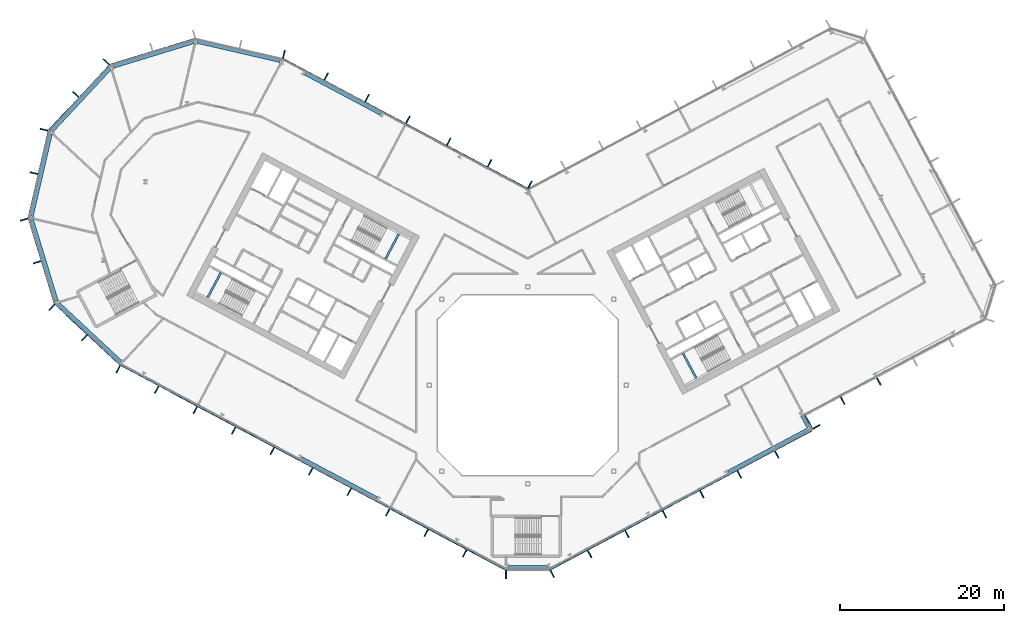
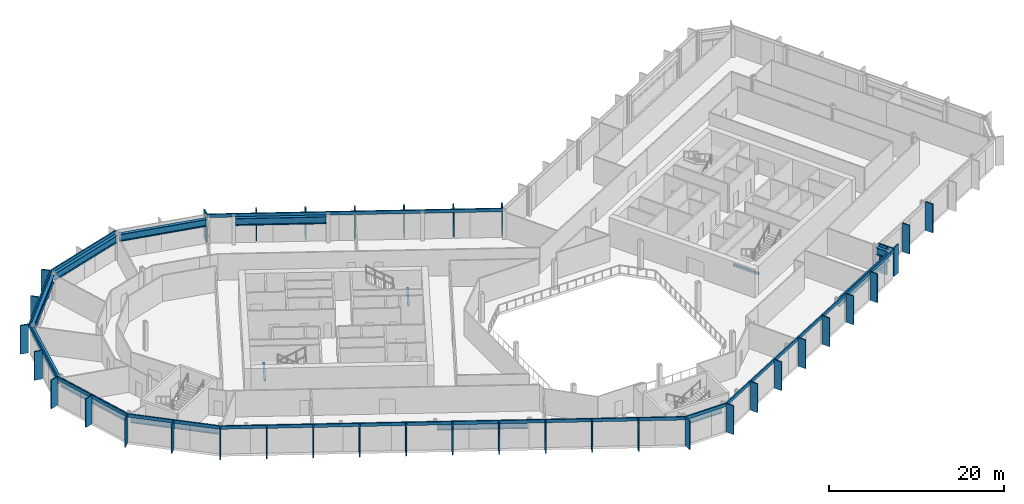
# One storey, part 9 of 28: 47 members, 14 beams, 12 elements without a shape of their own.
"""IFC4 building model written with IfcOpenShell, lengths in metres."""

from ifc_helpers import new_model, si_unit, direction, frame, origin, origin_2d, place, context, subcontext, project, spatial, rectangle, i_section, extrude, material, layer, layer_set, material_profile, profile_set, type_object, element, aggregate, save


model = new_model("IFC4")

# Units and contexts
model_context = context("Model", 3, precision=1e-05, world=origin(), true_north=direction((0.0, 1.0)))
body_context = subcontext(model_context, "Body", "Model", "MODEL_VIEW")
ifc_project = project(units=[si_unit("LENGTHUNIT", "METRE"), si_unit("AREAUNIT", "SQUARE_METRE"), si_unit("VOLUMEUNIT", "CUBIC_METRE"), si_unit("PLANEANGLEUNIT", "RADIAN"), si_unit("MASSUNIT", "GRAM", prefix="KILO")], contexts=[model_context])

# Site, building, storey
site_placement = place(None, origin())
site = spatial("IfcSite", under=ifc_project, at=site_placement, CompositionType="ELEMENT")
building_placement = place(site_placement, origin())
building = spatial("IfcBuilding", under=site, at=building_placement, Name="Cormorant Relay Tower", CompositionType="ELEMENT")
storey_placement = place(building_placement, frame((0.0, 0.0, 150.199951171875)))
storey = spatial("IfcBuildingStorey", under=building, at=storey_placement, Name="L31", CompositionType="ELEMENT", Elevation=150.199951171875)

# Curtain wall, member
ifc_material_1 = material(Name="Aluminium 6063-T6 anodised bronze", Category="aluminium")
ifc_layer = layer(ifc_material_1, 0.199951171875)
ifc_layer_set = layer_set([ifc_layer], Name="CW1 unitised bronze curtain wall with vertical fins")
curtain_wall_type = type_object("IfcCurtainWallType", Name="CW1 unitised bronze curtain wall with vertical fins", PredefinedType="NOTDEFINED", material=ifc_layer_set)
curtain_wall_1_placement = place(storey_placement, origin())
curtain_wall_1 = element("IfcCurtainWall", 1, at=curtain_wall_1_placement, inside=storey, type_object=curtain_wall_type, Name="CW1 curtain wall 1", PredefinedType="NOTDEFINED")
ifc_material_2 = material(Name="Aluminium 6063-T6 anodised bronze", Category="aluminium")
ifc_material_profile_1 = material_profile(ifc_material_2, rectangle(XDim=0.14990234375, YDim=1.0, at=origin_2d()), Name="AL 150x1000")
ifc_profile_set_1 = profile_set([ifc_material_profile_1], Name="Aluminium 6063-T6 anodised bronze")
member_type_1 = type_object("IfcMemberType", Name="CW1 bronze fin mullion 150 x 1000", PredefinedType="MULLION", material=ifc_profile_set_1)
member_1_placement = place(storey_placement, frame((-2.648681640625, -23.07568359375, 0.0), z_axis=(0.0, 0.0, 1.0), x_axis=(1.0, 0.0, 0.0)))
member_1 = element("IfcMember", 2, at=member_1_placement, type_object=member_type_1, Name="CW1 fin 1.1", PredefinedType="MULLION", context=body_context, shape_type="SweptSolid", body=[
    extrude(rectangle(XDim=0.14990234375, YDim=1.0, at=origin_2d()), origin(), (0.0, 0.0, 1.0), 4.0),
])

# Curtain wall, members
curtain_wall_2_placement = place(storey_placement, origin())
curtain_wall_2 = element("IfcCurtainWall", 3, at=curtain_wall_2_placement, inside=storey, type_object=curtain_wall_type, Name="CW1 curtain wall 2", PredefinedType="NOTDEFINED")
member_2_placement = place(storey_placement, frame((2.9775390625, -22.99365234375, 0.0), z_axis=(0.0, 0.0, 1.0), x_axis=(0.882947592859, 0.469471562786, 0.0)))
member_2 = element("IfcMember", 4, at=member_2_placement, type_object=member_type_1, Name="CW1 fin 2.1", PredefinedType="MULLION", context=body_context, shape_type="SweptSolid", body=[
    extrude(rectangle(XDim=0.14990234375, YDim=1.0, at=origin_2d()), origin(), (0.0, 0.0, 1.0), 4.0),
])
member_3_placement = place(storey_placement, frame((7.539306640625, -20.568115234375, 0.0), z_axis=(0.0, 0.0, 1.0), x_axis=(0.882947592859, 0.469471562786, 0.0)))
member_3 = element("IfcMember", 5, at=member_3_placement, type_object=member_type_1, Name="CW1 fin 2.2", PredefinedType="MULLION", context=body_context, shape_type="SweptSolid", body=[
    extrude(rectangle(XDim=0.14990234375, YDim=1.0, at=origin_2d()), origin(), (0.0, 0.0, 1.0), 4.0),
])
member_4_placement = place(storey_placement, frame((12.10107421875, -18.142578125, 0.0), z_axis=(0.0, 0.0, 1.0), x_axis=(0.882947592859, 0.469471562786, 0.0)))
member_4 = element("IfcMember", 6, at=member_4_placement, type_object=member_type_1, Name="CW1 fin 2.3", PredefinedType="MULLION", context=body_context, shape_type="SweptSolid", body=[
    extrude(rectangle(XDim=0.14990234375, YDim=1.0, at=origin_2d()), origin(), (0.0, 0.0, 1.0), 4.0),
])
member_5_placement = place(storey_placement, frame((16.662841796875, -15.717041015625, 0.0), z_axis=(0.0, 0.0, 1.0), x_axis=(0.882947592859, 0.469471562786, 0.0)))
member_5 = element("IfcMember", 7, at=member_5_placement, type_object=member_type_1, Name="CW1 fin 2.4", PredefinedType="MULLION", context=body_context, shape_type="SweptSolid", body=[
    extrude(rectangle(XDim=0.14990234375, YDim=1.0, at=origin_2d()), origin(), (0.0, 0.0, 1.0), 4.0),
])
member_6_placement = place(storey_placement, frame((21.224609375, -13.29150390625, 0.0), z_axis=(0.0, 0.0, 1.0), x_axis=(0.882947592859, 0.469471562786, 0.0)))
member_6 = element("IfcMember", 8, at=member_6_placement, type_object=member_type_1, Name="CW1 fin 2.5", PredefinedType="MULLION", context=body_context, shape_type="SweptSolid", body=[
    extrude(rectangle(XDim=0.14990234375, YDim=1.0, at=origin_2d()), origin(), (0.0, 0.0, 1.0), 4.0),
])
member_7_placement = place(storey_placement, frame((25.78662109375, -10.865966796875, 0.0), z_axis=(0.0, 0.0, 1.0), x_axis=(0.882947592859, 0.469471562786, 0.0)))
member_7 = element("IfcMember", 9, at=member_7_placement, type_object=member_type_1, Name="CW1 fin 2.6", PredefinedType="MULLION", context=body_context, shape_type="SweptSolid", body=[
    extrude(rectangle(XDim=0.14990234375, YDim=1.0, at=origin_2d()), origin(), (0.0, 0.0, 1.0), 4.0),
])
member_8_placement = place(storey_placement, frame((30.348388671875, -8.440185546875, 0.0), z_axis=(0.0, 0.0, 1.0), x_axis=(0.882947592859, 0.469471562786, 0.0)))
member_8 = element("IfcMember", 10, at=member_8_placement, type_object=member_type_1, Name="CW1 fin 2.7", PredefinedType="MULLION", context=body_context, shape_type="SweptSolid", body=[
    extrude(rectangle(XDim=0.14990234375, YDim=1.0, at=origin_2d()), origin(), (0.0, 0.0, 1.0), 4.0),
])

# Curtain wall, member
curtain_wall_3_placement = place(storey_placement, origin())
curtain_wall_3 = element("IfcCurtainWall", 11, at=curtain_wall_3_placement, inside=storey, type_object=curtain_wall_type, Name="CW1 curtain wall 3", PredefinedType="NOTDEFINED")
member_9_placement = place(storey_placement, frame((35.199462890625, -5.068115234375, 0.0), z_axis=(0.0, 0.0, 1.0), x_axis=(-0.469471562786, 0.882947592859, 0.0)))
member_9 = element("IfcMember", 12, at=member_9_placement, type_object=member_type_1, Name="CW1 fin 3.1", PredefinedType="MULLION", context=body_context, shape_type="SweptSolid", body=[
    extrude(rectangle(XDim=0.14990234375, YDim=1.0, at=origin_2d()), origin(), (0.0, 0.0, 1.0), 4.0),
])

# Curtain wall, members
curtain_wall_4_placement = place(storey_placement, origin())
curtain_wall_4 = element("IfcCurtainWall", 13, at=curtain_wall_4_placement, inside=storey, type_object=curtain_wall_type, Name="CW1 curtain wall 4", PredefinedType="NOTDEFINED")
member_10_placement = place(storey_placement, frame((34.037353515625, -4.213623046875, 0.0), z_axis=(0.0, 0.0, 1.0), x_axis=(0.882947592859, 0.469471562786, 0.0)))
member_10 = element("IfcMember", 14, at=member_10_placement, type_object=member_type_1, Name="CW1 fin 4.1", PredefinedType="MULLION", context=body_context, shape_type="SweptSolid", body=[
    extrude(rectangle(XDim=0.14990234375, YDim=1.0, at=origin_2d()), origin(), (0.0, 0.0, 1.0), 4.0),
])
member_11_placement = place(storey_placement, frame((38.385986328125, -1.901611328125, 0.0), z_axis=(0.0, 0.0, 1.0), x_axis=(0.882947592859, 0.469471562786, 0.0)))
member_11 = element("IfcMember", 15, at=member_11_placement, type_object=member_type_1, Name="CW1 fin 4.2", PredefinedType="MULLION", context=body_context, shape_type="SweptSolid", body=[
    extrude(rectangle(XDim=0.14990234375, YDim=1.0, at=origin_2d()), origin(), (0.0, 0.0, 1.0), 4.0),
])
member_12_placement = place(storey_placement, frame((42.800537109375, 0.44580078125, 0.0), z_axis=(0.0, 0.0, 1.0), x_axis=(0.882947592859, 0.469471562786, 0.0)))
member_12 = element("IfcMember", 16, at=member_12_placement, type_object=member_type_1, Name="CW1 fin 4.3", PredefinedType="MULLION", context=body_context, shape_type="SweptSolid", body=[
    extrude(rectangle(XDim=0.14990234375, YDim=1.0, at=origin_2d()), origin(), (0.0, 0.0, 1.0), 4.0),
])
aggregate(curtain_wall_4, [member_10, member_11, member_12])

curtain_wall_5_placement = place(storey_placement, origin())
curtain_wall_5 = element("IfcCurtainWall", 17, at=curtain_wall_5_placement, inside=storey, type_object=curtain_wall_type, Name="CW1 curtain wall 9", PredefinedType="NOTDEFINED")
member_13_placement = place(storey_placement, frame((0.262451171875, 24.437255859375, 0.0), z_axis=(0.0, 0.0, 1.0), x_axis=(-0.882947592859, 0.469471562786, 0.0)))
member_13 = element("IfcMember", 18, at=member_13_placement, type_object=member_type_1, Name="CW1 fin 9.1", PredefinedType="MULLION", context=body_context, shape_type="SweptSolid", body=[
    extrude(rectangle(XDim=0.14990234375, YDim=1.0, at=origin_2d()), origin(), (0.0, 0.0, 1.0), 4.0),
])
member_14_placement = place(storey_placement, frame((-4.650390625, 27.04931640625, 0.0), z_axis=(0.0, 0.0, 1.0), x_axis=(-0.882947592859, 0.469471562786, 0.0)))
member_14 = element("IfcMember", 19, at=member_14_placement, type_object=member_type_1, Name="CW1 fin 9.2", PredefinedType="MULLION", context=body_context, shape_type="SweptSolid", body=[
    extrude(rectangle(XDim=0.14990234375, YDim=1.0, at=origin_2d()), origin(), (0.0, 0.0, 1.0), 4.0),
])
member_15_placement = place(storey_placement, frame((-9.62939453125, 29.69677734375, 0.0), z_axis=(0.0, 0.0, 1.0), x_axis=(-0.882947592859, 0.469471562786, 0.0)))
member_15 = element("IfcMember", 20, at=member_15_placement, type_object=member_type_1, Name="CW1 fin 9.3", PredefinedType="MULLION", context=body_context, shape_type="SweptSolid", body=[
    extrude(rectangle(XDim=0.14990234375, YDim=1.0, at=origin_2d()), origin(), (0.0, 0.0, 1.0), 4.0),
])
member_16_placement = place(storey_placement, frame((-14.608154296875, 32.343994140625, 0.0), z_axis=(0.0, 0.0, 1.0), x_axis=(-0.882947592859, 0.469471562786, 0.0)))
member_16 = element("IfcMember", 21, at=member_16_placement, type_object=member_type_1, Name="CW1 fin 9.4", PredefinedType="MULLION", context=body_context, shape_type="SweptSolid", body=[
    extrude(rectangle(XDim=0.14990234375, YDim=1.0, at=origin_2d()), origin(), (0.0, 0.0, 1.0), 4.0),
])
member_17_placement = place(storey_placement, frame((-19.587158203125, 34.991455078125, 0.0), z_axis=(0.0, 0.0, 1.0), x_axis=(-0.882947592859, 0.469471562786, 0.0)))
member_17 = element("IfcMember", 22, at=member_17_placement, type_object=member_type_1, Name="CW1 fin 9.5", PredefinedType="MULLION", context=body_context, shape_type="SweptSolid", body=[
    extrude(rectangle(XDim=0.14990234375, YDim=1.0, at=origin_2d()), origin(), (0.0, 0.0, 1.0), 4.0),
])
member_18_placement = place(storey_placement, frame((-24.566162109375, 37.638916015625, 0.0), z_axis=(0.0, 0.0, 1.0), x_axis=(-0.882947592859, 0.469471562786, 0.0)))
member_18 = element("IfcMember", 23, at=member_18_placement, type_object=member_type_1, Name="CW1 fin 9.6", PredefinedType="MULLION", context=body_context, shape_type="SweptSolid", body=[
    extrude(rectangle(XDim=0.14990234375, YDim=1.0, at=origin_2d()), origin(), (0.0, 0.0, 1.0), 4.0),
])

# Curtain wall, member
curtain_wall_6_placement = place(storey_placement, origin())
curtain_wall_6 = element("IfcCurtainWall", 24, at=curtain_wall_6_placement, inside=storey, type_object=curtain_wall_type, Name="CW1 curtain wall 10", PredefinedType="NOTDEFINED")
member_19_placement = place(storey_placement, frame((-29.71630859375, 40.35009765625, 0.0), z_axis=(0.0, 0.0, 1.0), x_axis=(-0.974370064785, 0.224951054344, 0.0)))
member_19 = element("IfcMember", 25, at=member_19_placement, type_object=member_type_1, Name="CW1 fin 10.1", PredefinedType="MULLION", context=body_context, shape_type="SweptSolid", body=[
    extrude(rectangle(XDim=0.14990234375, YDim=1.0, at=origin_2d()), origin(), (0.0, 0.0, 1.0), 4.0),
])
aggregate(curtain_wall_6, [member_19])

# Curtain wall, members
curtain_wall_7_placement = place(storey_placement, origin())
curtain_wall_7 = element("IfcCurtainWall", 26, at=curtain_wall_7_placement, inside=storey, type_object=curtain_wall_type, Name="CW1 curtain wall 12", PredefinedType="NOTDEFINED")
member_20_placement = place(storey_placement, frame((-51.372802734375, 39.41259765625, 0.0), z_axis=(0.0, 0.0, 1.0), x_axis=(-0.681998360062, -0.731353701619, 0.0)))
member_20 = element("IfcMember", 27, at=member_20_placement, type_object=member_type_1, Name="CW1 fin 12.1", PredefinedType="MULLION", context=body_context, shape_type="SweptSolid", body=[
    extrude(rectangle(XDim=0.14990234375, YDim=1.0, at=origin_2d()), origin(), (0.0, 0.0, 1.0), 4.0),
])
member_21_placement = place(storey_placement, frame((-55.07958984375, 35.4375, 0.0), z_axis=(0.0, 0.0, 1.0), x_axis=(-0.681998360062, -0.731353701619, 0.0)))
member_21 = element("IfcMember", 28, at=member_21_placement, type_object=member_type_1, Name="CW1 fin 12.2", PredefinedType="MULLION", context=body_context, shape_type="SweptSolid", body=[
    extrude(rectangle(XDim=0.14990234375, YDim=1.0, at=origin_2d()), origin(), (0.0, 0.0, 1.0), 4.0),
])

curtain_wall_8_placement = place(storey_placement, origin())
curtain_wall_8 = element("IfcCurtainWall", 29, at=curtain_wall_8_placement, inside=storey, type_object=curtain_wall_type, Name="CW1 curtain wall 13", PredefinedType="NOTDEFINED")
member_22_placement = place(storey_placement, frame((-58.95654296875, 31.142578125, 0.0), z_axis=(0.0, 0.0, 1.0), x_axis=(-0.224951054344, -0.974370064785, 0.0)))
member_22 = element("IfcMember", 30, at=member_22_placement, type_object=member_type_1, Name="CW1 fin 13.1", PredefinedType="MULLION", context=body_context, shape_type="SweptSolid", body=[
    extrude(rectangle(XDim=0.14990234375, YDim=1.0, at=origin_2d()), origin(), (0.0, 0.0, 1.0), 4.0),
])
member_23_placement = place(storey_placement, frame((-60.17919921875, 25.8466796875, 0.0), z_axis=(0.0, 0.0, 1.0), x_axis=(-0.224951054344, -0.974370064785, 0.0)))
member_23 = element("IfcMember", 31, at=member_23_placement, type_object=member_type_1, Name="CW1 fin 13.2", PredefinedType="MULLION", context=body_context, shape_type="SweptSolid", body=[
    extrude(rectangle(XDim=0.14990234375, YDim=1.0, at=origin_2d()), origin(), (0.0, 0.0, 1.0), 4.0),
])

curtain_wall_9_placement = place(storey_placement, origin())
curtain_wall_9 = element("IfcCurtainWall", 32, at=curtain_wall_9_placement, inside=storey, type_object=curtain_wall_type, Name="CW1 curtain wall 14", PredefinedType="NOTDEFINED")
member_24_placement = place(storey_placement, frame((-61.389404296875, 20.188720703125, 0.0), z_axis=(0.0, 0.0, 1.0), x_axis=(0.292371704723, -0.956304755963, 0.0)))
member_24 = element("IfcMember", 33, at=member_24_placement, type_object=member_type_1, Name="CW1 fin 14.1", PredefinedType="MULLION", context=body_context, shape_type="SweptSolid", body=[
    extrude(rectangle(XDim=0.14990234375, YDim=1.0, at=origin_2d()), origin(), (0.0, 0.0, 1.0), 4.0),
])
member_25_placement = place(storey_placement, frame((-59.80029296875, 14.990966796875, 0.0), z_axis=(0.0, 0.0, 1.0), x_axis=(0.292371704723, -0.956304755963, 0.0)))
member_25 = element("IfcMember", 34, at=member_25_placement, type_object=member_type_1, Name="CW1 fin 14.2", PredefinedType="MULLION", context=body_context, shape_type="SweptSolid", body=[
    extrude(rectangle(XDim=0.14990234375, YDim=1.0, at=origin_2d()), origin(), (0.0, 0.0, 1.0), 4.0),
])

curtain_wall_10_placement = place(storey_placement, origin())
curtain_wall_10 = element("IfcCurtainWall", 35, at=curtain_wall_10_placement, inside=storey, type_object=curtain_wall_type, Name="CW1 curtain wall 15", PredefinedType="NOTDEFINED")
member_26_placement = place(storey_placement, frame((-58.01904296875, 9.486083984375, 0.0), z_axis=(0.0, 0.0, 1.0), x_axis=(0.731353701619, -0.681998360062, 0.0)))
member_26 = element("IfcMember", 36, at=member_26_placement, type_object=member_type_1, Name="CW1 fin 15.1", PredefinedType="MULLION", context=body_context, shape_type="SweptSolid", body=[
    extrude(rectangle(XDim=0.14990234375, YDim=1.0, at=origin_2d()), origin(), (0.0, 0.0, 1.0), 4.0),
])
member_27_placement = place(storey_placement, frame((-54.0439453125, 5.779296875, 0.0), z_axis=(0.0, 0.0, 1.0), x_axis=(0.731353701619, -0.681998360062, 0.0)))
member_27 = element("IfcMember", 37, at=member_27_placement, type_object=member_type_1, Name="CW1 fin 15.2", PredefinedType="MULLION", context=body_context, shape_type="SweptSolid", body=[
    extrude(rectangle(XDim=0.14990234375, YDim=1.0, at=origin_2d()), origin(), (0.0, 0.0, 1.0), 4.0),
])

curtain_wall_11_placement = place(storey_placement, origin())
curtain_wall_11 = element("IfcCurtainWall", 38, at=curtain_wall_11_placement, inside=storey, type_object=curtain_wall_type, Name="CW1 curtain wall 16", PredefinedType="NOTDEFINED")
member_28_placement = place(storey_placement, frame((-49.920166015625, 1.96630859375, 0.0), z_axis=(0.0, 0.0, 1.0), x_axis=(0.882947592859, -0.469471562786, 0.0)))
member_28 = element("IfcMember", 39, at=member_28_placement, type_object=member_type_1, Name="CW1 fin 16.1", PredefinedType="MULLION", context=body_context, shape_type="SweptSolid", body=[
    extrude(rectangle(XDim=0.14990234375, YDim=1.0, at=origin_2d()), origin(), (0.0, 0.0, 1.0), 4.0),
])
member_29_placement = place(storey_placement, frame((-45.225830078125, -0.52978515625, 0.0), z_axis=(0.0, 0.0, 1.0), x_axis=(0.882947592859, -0.469471562786, 0.0)))
member_29 = element("IfcMember", 40, at=member_29_placement, type_object=member_type_1, Name="CW1 fin 16.2", PredefinedType="MULLION", context=body_context, shape_type="SweptSolid", body=[
    extrude(rectangle(XDim=0.14990234375, YDim=1.0, at=origin_2d()), origin(), (0.0, 0.0, 1.0), 4.0),
])
member_30_placement = place(storey_placement, frame((-40.531494140625, -3.025634765625, 0.0), z_axis=(0.0, 0.0, 1.0), x_axis=(0.882947592859, -0.469471562786, 0.0)))
member_30 = element("IfcMember", 41, at=member_30_placement, type_object=member_type_1, Name="CW1 fin 16.3", PredefinedType="MULLION", context=body_context, shape_type="SweptSolid", body=[
    extrude(rectangle(XDim=0.14990234375, YDim=1.0, at=origin_2d()), origin(), (0.0, 0.0, 1.0), 4.0),
])
member_31_placement = place(storey_placement, frame((-35.83740234375, -5.521728515625, 0.0), z_axis=(0.0, 0.0, 1.0), x_axis=(0.882947592859, -0.469471562786, 0.0)))
member_31 = element("IfcMember", 42, at=member_31_placement, type_object=member_type_1, Name="CW1 fin 16.4", PredefinedType="MULLION", context=body_context, shape_type="SweptSolid", body=[
    extrude(rectangle(XDim=0.14990234375, YDim=1.0, at=origin_2d()), origin(), (0.0, 0.0, 1.0), 4.0),
])
member_32_placement = place(storey_placement, frame((-31.14306640625, -8.017578125, 0.0), z_axis=(0.0, 0.0, 1.0), x_axis=(0.882947592859, -0.469471562786, 0.0)))
member_32 = element("IfcMember", 43, at=member_32_placement, type_object=member_type_1, Name="CW1 fin 16.5", PredefinedType="MULLION", context=body_context, shape_type="SweptSolid", body=[
    extrude(rectangle(XDim=0.14990234375, YDim=1.0, at=origin_2d()), origin(), (0.0, 0.0, 1.0), 4.0),
])
member_33_placement = place(storey_placement, frame((-26.44873046875, -10.513671875, 0.0), z_axis=(0.0, 0.0, 1.0), x_axis=(0.882947592859, -0.469471562786, 0.0)))
member_33 = element("IfcMember", 44, at=member_33_placement, type_object=member_type_1, Name="CW1 fin 16.6", PredefinedType="MULLION", context=body_context, shape_type="SweptSolid", body=[
    extrude(rectangle(XDim=0.14990234375, YDim=1.0, at=origin_2d()), origin(), (0.0, 0.0, 1.0), 4.0),
])
member_34_placement = place(storey_placement, frame((-21.754638671875, -13.009765625, 0.0), z_axis=(0.0, 0.0, 1.0), x_axis=(0.882947592859, -0.469471562786, 0.0)))
member_34 = element("IfcMember", 45, at=member_34_placement, type_object=member_type_1, Name="CW1 fin 16.7", PredefinedType="MULLION", context=body_context, shape_type="SweptSolid", body=[
    extrude(rectangle(XDim=0.14990234375, YDim=1.0, at=origin_2d()), origin(), (0.0, 0.0, 1.0), 4.0),
])
member_35_placement = place(storey_placement, frame((-17.060302734375, -15.505615234375, 0.0), z_axis=(0.0, 0.0, 1.0), x_axis=(0.882947592859, -0.469471562786, 0.0)))
member_35 = element("IfcMember", 46, at=member_35_placement, type_object=member_type_1, Name="CW1 fin 16.8", PredefinedType="MULLION", context=body_context, shape_type="SweptSolid", body=[
    extrude(rectangle(XDim=0.14990234375, YDim=1.0, at=origin_2d()), origin(), (0.0, 0.0, 1.0), 4.0),
])
member_36_placement = place(storey_placement, frame((-12.365966796875, -18.001708984375, 0.0), z_axis=(0.0, 0.0, 1.0), x_axis=(0.882947592859, -0.469471562786, 0.0)))
member_36 = element("IfcMember", 47, at=member_36_placement, type_object=member_type_1, Name="CW1 fin 16.9", PredefinedType="MULLION", context=body_context, shape_type="SweptSolid", body=[
    extrude(rectangle(XDim=0.14990234375, YDim=1.0, at=origin_2d()), origin(), (0.0, 0.0, 1.0), 4.0),
])
member_37_placement = place(storey_placement, frame((-7.671630859375, -20.49755859375, 0.0), z_axis=(0.0, 0.0, 1.0), x_axis=(0.882947592859, -0.469471562786, 0.0)))
member_37 = element("IfcMember", 48, at=member_37_placement, type_object=member_type_1, Name="CW1 fin 16.10", PredefinedType="MULLION", context=body_context, shape_type="SweptSolid", body=[
    extrude(rectangle(XDim=0.14990234375, YDim=1.0, at=origin_2d()), origin(), (0.0, 0.0, 1.0), 4.0),
])

# Member
ifc_material_3 = material(Name="Aluminium 6063-T6 anodised bronze", Category="aluminium")
ifc_material_profile_2 = material_profile(ifc_material_3, rectangle(XDim=0.159912109375, YDim=0.449951171875, at=origin_2d()), Name="AL 160x450")
ifc_profile_set_2 = profile_set([ifc_material_profile_2], Name="Aluminium 6063-T6 anodised bronze")
member_type_2 = type_object("IfcMemberType", Name="CW1 bronze transom 160 x 450", PredefinedType="USERDEFINED", material=ifc_profile_set_2)
member_38_placement = place(storey_placement, frame((-2.648681640625, -22.49560546875, 3.775146484375), z_axis=(1.0, 0.0, 0.0), x_axis=(0.0, 1.0, 0.0)))
member_38 = element("IfcMember", 49, at=member_38_placement, type_object=member_type_2, Name="CW1 transom 1", ObjectType="TRANSOM", PredefinedType="USERDEFINED", context=body_context, shape_type="SweptSolid", body=[
    extrude(rectangle(XDim=0.159912109375, YDim=0.449951171875, at=origin_2d()), origin(), (0.0, 0.0, 1.0), 5.29736328125),
])

aggregate(curtain_wall_1, [member_1, member_38])

member_39_placement = place(storey_placement, frame((2.705078125, -22.4814453125, 3.775146484375), z_axis=(0.882948899141, 0.469469106018, 0.0), x_axis=(-0.469469106018, 0.882948899141, 0.0)))
member_39 = element("IfcMember", 50, at=member_39_placement, type_object=member_type_2, Name="CW1 transom 2", ObjectType="TRANSOM", PredefinedType="USERDEFINED", context=body_context, shape_type="SweptSolid", body=[
    extrude(rectangle(XDim=0.159912109375, YDim=0.449951171875, at=origin_2d()), origin(), (0.0, 0.0, 1.0), 36.165771484375),
])

aggregate(curtain_wall_2, [member_2, member_3, member_4, member_5, member_6, member_7, member_8, member_39])

member_40_placement = place(storey_placement, frame((34.6875, -5.34033203125, 3.775146484375), z_axis=(-0.469580583036, 0.88288961713, 0.0), x_axis=(-0.88288961713, -0.469580583036, 0.0)))
member_40 = element("IfcMember", 51, at=member_40_placement, type_object=member_type_2, Name="CW1 transom 3", ObjectType="TRANSOM", PredefinedType="USERDEFINED", context=body_context, shape_type="SweptSolid", body=[
    extrude(rectangle(XDim=0.159912109375, YDim=0.449951171875, at=origin_2d()), origin(), (0.0, 0.0, 1.0), 2.0),
])

aggregate(curtain_wall_3, [member_9, member_40])

member_41_placement = place(storey_placement, frame((0.056396484375, 23.889892578125, 3.775146484375), z_axis=(-0.882946280328, 0.46947403129, 0.0), x_axis=(-0.46947403129, -0.882946280328, 0.0)))
member_41 = element("IfcMember", 52, at=member_41_placement, type_object=member_type_2, Name="CW1 transom 9", ObjectType="TRANSOM", PredefinedType="USERDEFINED", context=body_context, shape_type="SweptSolid", body=[
    extrude(rectangle(XDim=0.159912109375, YDim=0.449951171875, at=origin_2d()), origin(), (0.0, 0.0, 1.0), 33.834228515625),
])

aggregate(curtain_wall_5, [member_13, member_14, member_15, member_16, member_17, member_18, member_41])

# Curtain wall, member
curtain_wall_12_placement = place(storey_placement, origin())
curtain_wall_12 = element("IfcCurtainWall", 53, at=curtain_wall_12_placement, inside=storey, type_object=curtain_wall_type, Name="CW1 curtain wall 11", PredefinedType="NOTDEFINED")
member_42_placement = place(storey_placement, frame((-40.50048828125, 42.228271484375, 3.775146484375), z_axis=(-0.956304833932, -0.292371449698, 0.0), x_axis=(0.292371449698, -0.956304833932, 0.0)))
member_42 = element("IfcMember", 54, at=member_42_placement, type_object=member_type_2, Name="CW1 transom 11", ObjectType="TRANSOM", PredefinedType="USERDEFINED", context=body_context, shape_type="SweptSolid", body=[
    extrude(rectangle(XDim=0.159912109375, YDim=0.449951171875, at=origin_2d()), origin(), (0.0, 0.0, 1.0), 10.87060546875),
])
aggregate(curtain_wall_12, [member_42])

# Member
member_43_placement = place(storey_placement, frame((-50.94873046875, 39.01708984375, 3.775146484375), z_axis=(-0.681993299437, -0.731358420696, 0.0), x_axis=(0.731358420696, -0.681993299437, 0.0)))
member_43 = element("IfcMember", 55, at=member_43_placement, type_object=member_type_2, Name="CW1 transom 12", ObjectType="TRANSOM", PredefinedType="USERDEFINED", context=body_context, shape_type="SweptSolid", body=[
    extrude(rectangle(XDim=0.159912109375, YDim=0.449951171875, at=origin_2d()), origin(), (0.0, 0.0, 1.0), 10.870361328125),
])

aggregate(curtain_wall_7, [member_20, member_21, member_43])

member_44_placement = place(storey_placement, frame((-58.3916015625, 31.01220703125, 3.775146484375), z_axis=(-0.22495136131, -0.974369993916, 0.0), x_axis=(0.974369993916, -0.22495136131, 0.0)))
member_44 = element("IfcMember", 56, at=member_44_placement, type_object=member_type_2, Name="CW1 transom 13", ObjectType="TRANSOM", PredefinedType="USERDEFINED", context=body_context, shape_type="SweptSolid", body=[
    extrude(rectangle(XDim=0.159912109375, YDim=0.449951171875, at=origin_2d()), origin(), (0.0, 0.0, 1.0), 10.870361328125),
])

aggregate(curtain_wall_8, [member_22, member_23, member_44])

member_45_placement = place(storey_placement, frame((-60.834716796875, 20.358154296875, 3.775146484375), z_axis=(0.292377729282, -0.95630291405, 0.0), x_axis=(0.95630291405, 0.292377729282, 0.0)))
member_45 = element("IfcMember", 57, at=member_45_placement, type_object=member_type_2, Name="CW1 transom 14", ObjectType="TRANSOM", PredefinedType="USERDEFINED", context=body_context, shape_type="SweptSolid", body=[
    extrude(rectangle(XDim=0.159912109375, YDim=0.449951171875, at=origin_2d()), origin(), (0.0, 0.0, 1.0), 10.870361328125),
])

aggregate(curtain_wall_9, [member_24, member_25, member_45])

member_46_placement = place(storey_placement, frame((-57.62353515625, 9.91015625, 3.775146484375), z_axis=(0.731358420696, -0.681993299437, 0.0), x_axis=(0.681993299437, 0.731358420696, 0.0)))
member_46 = element("IfcMember", 58, at=member_46_placement, type_object=member_type_2, Name="CW1 transom 15", ObjectType="TRANSOM", PredefinedType="USERDEFINED", context=body_context, shape_type="SweptSolid", body=[
    extrude(rectangle(XDim=0.159912109375, YDim=0.449951171875, at=origin_2d()), origin(), (0.0, 0.0, 1.0), 10.870361328125),
])

aggregate(curtain_wall_10, [member_26, member_27, member_46])

member_47_placement = place(storey_placement, frame((-49.64794921875, 2.478515625, 3.775146484375), z_axis=(0.882947642542, -0.469471469346, 0.0), x_axis=(0.469471469346, 0.882947642542, 0.0)))
member_47 = element("IfcMember", 59, at=member_47_placement, type_object=member_type_2, Name="CW1 transom 16", ObjectType="TRANSOM", PredefinedType="USERDEFINED", context=body_context, shape_type="SweptSolid", body=[
    extrude(rectangle(XDim=0.159912109375, YDim=0.449951171875, at=origin_2d()), origin(), (0.0, 0.0, 1.0), 53.166015625),
])

aggregate(curtain_wall_11, [member_28, member_29, member_30, member_31, member_32, member_33, member_34, member_35, member_36, member_37, member_47])

# Beams
ifc_material_4 = material(Name="Steel ASTM A992 (Fy 345 MPa)", Category="steel")
ifc_material_profile_3 = material_profile(ifc_material_4, i_section(OverallWidth=0.4013671875, OverallDepth=1.000732421875, WebThickness=0.01904296875, FlangeThickness=0.0361328125, FilletRadius=0.02978515625, at=origin_2d()), Name="W1000x371")
ifc_profile_set_3 = profile_set([ifc_material_profile_3], Name="Steel ASTM A992 (Fy 345 MPa)")
beam_type_1 = type_object("IfcBeamType", Name="Spandrel W1000x371", PredefinedType="SPANDREL", material=ifc_profile_set_3)
beam_1_placement = place(storey_placement, frame((-2.35888671875, -22.1748046875, 3.1396484375), z_axis=(1.0, 0.0, 0.0), x_axis=(0.0, 1.0, 0.0)))
element("IfcBeam", 60, at=beam_1_placement, inside=storey, type_object=beam_type_1, Name="Spandrel beam L31-001", PredefinedType="SPANDREL", context=body_context, shape_type="SweptSolid", body=[
    extrude(i_section(OverallWidth=0.4013671875, OverallDepth=1.000732421875, WebThickness=0.01904296875, FlangeThickness=0.0361328125, FilletRadius=0.02978515625, at=origin_2d()), origin(), (0.0, 0.0, 1.0), 4.748046875),
])
beam_2_placement = place(storey_placement, frame((24.427001953125, -10.568603515625, 3.1396484375), z_axis=(0.88295524081, 0.469457178799, 0.0), x_axis=(-0.469457178799, 0.88295524081, 0.0)))
element("IfcBeam", 61, at=beam_2_placement, inside=storey, type_object=beam_type_1, Name="Spandrel beam L31-002", PredefinedType="SPANDREL", context=body_context, shape_type="SweptSolid", body=[
    extrude(i_section(OverallWidth=0.4013671875, OverallDepth=1.000732421875, WebThickness=0.01904296875, FlangeThickness=0.0361328125, FilletRadius=0.02978515625, at=origin_2d()), origin(), (0.0, 0.0, 1.0), 10.915771484375),
])
beam_3_placement = place(storey_placement, frame((34.191650390625, -5.091064453125, 3.1396484375), z_axis=(-0.469471937736, 0.882947393494, 0.0), x_axis=(-0.882947393494, -0.469471937736, 0.0)))
element("IfcBeam", 62, at=beam_3_placement, inside=storey, type_object=beam_type_1, Name="Spandrel beam L31-003", PredefinedType="SPANDREL", context=body_context, shape_type="SweptSolid", body=[
    extrude(i_section(OverallWidth=0.4013671875, OverallDepth=1.000732421875, WebThickness=0.01904296875, FlangeThickness=0.0361328125, FilletRadius=0.02978515625, at=origin_2d()), origin(), (0.0, 0.0, 1.0), 1.521728515625),
])
beam_4_placement = place(storey_placement, frame((-17.964599609375, 33.108642578125, 3.1396484375), z_axis=(-0.882946180893, 0.469474218299, 0.0), x_axis=(-0.469474218299, -0.882946180893, 0.0)))
element("IfcBeam", 63, at=beam_4_placement, inside=storey, type_object=beam_type_1, Name="Spandrel beam L31-009", PredefinedType="SPANDREL", context=body_context, shape_type="SweptSolid", body=[
    extrude(i_section(OverallWidth=0.4013671875, OverallDepth=1.000732421875, WebThickness=0.01904296875, FlangeThickness=0.0361328125, FilletRadius=0.02978515625, at=origin_2d()), origin(), (0.0, 0.0, 1.0), 10.388671875),
])
beam_5_placement = place(storey_placement, frame((-30.162109375, 39.52880859375, 3.1396484375), z_axis=(-0.974371727644, 0.224943851591, 0.0), x_axis=(-0.224943851591, -0.974371727644, 0.0)))
element("IfcBeam", 64, at=beam_5_placement, inside=storey, type_object=beam_type_1, Name="Spandrel beam L31-010", PredefinedType="SPANDREL", context=body_context, shape_type="SweptSolid", body=[
    extrude(i_section(OverallWidth=0.4013671875, OverallDepth=1.000732421875, WebThickness=0.01904296875, FlangeThickness=0.0361328125, FilletRadius=0.02978515625, at=origin_2d()), origin(), (0.0, 0.0, 1.0), 10.3583984375),
])
beam_6_placement = place(storey_placement, frame((-40.69140625, 41.834716796875, 3.1396484375), z_axis=(-0.95629714744, -0.292396589921, 0.0), x_axis=(0.292396589921, -0.95629714744, 0.0)))
element("IfcBeam", 65, at=beam_6_placement, inside=storey, type_object=beam_type_1, Name="Spandrel beam L31-011", PredefinedType="SPANDREL", context=body_context, shape_type="SweptSolid", body=[
    extrude(i_section(OverallWidth=0.4013671875, OverallDepth=1.000732421875, WebThickness=0.01904296875, FlangeThickness=0.0361328125, FilletRadius=0.02978515625, at=origin_2d()), origin(), (0.0, 0.0, 1.0), 10.31103515625),
])
beam_7_placement = place(storey_placement, frame((-50.917236328125, 38.58056640625, 3.1396484375), z_axis=(-0.682003508788, -0.731348900321, 0.0), x_axis=(0.731348900321, -0.682003508788, 0.0)))
element("IfcBeam", 66, at=beam_7_placement, inside=storey, type_object=beam_type_1, Name="Spandrel beam L31-012", PredefinedType="SPANDREL", context=body_context, shape_type="SweptSolid", body=[
    extrude(i_section(OverallWidth=0.4013671875, OverallDepth=1.000732421875, WebThickness=0.01904296875, FlangeThickness=0.0361328125, FilletRadius=0.02978515625, at=origin_2d()), origin(), (0.0, 0.0, 1.0), 10.310791015625),
])
for number, where, z_axis, x_axis, name in (
    (67, (-58.14599609375, 30.64990234375, 3.1396484375), (-0.224951162328, -0.974370039855, 0.0), (0.974370039855, -0.224951162328, 0.0), "Spandrel beam L31-013"),
    (68, (-60.44091796875, 20.16748046875, 3.1396484375), (0.292366522639, -0.95630634027, 0.0), (0.95630634027, 0.292366522639, 0.0), "Spandrel beam L31-014"),
):
    element("IfcBeam", number, at=place(storey_placement, frame(where, z_axis=z_axis, x_axis=x_axis)), inside=storey, type_object=beam_type_1, Name=name, PredefinedType="SPANDREL", context=body_context, shape_type="SweptSolid", body=[
        extrude(i_section(OverallWidth=0.4013671875, OverallDepth=1.000732421875, WebThickness=0.01904296875, FlangeThickness=0.0361328125, FilletRadius=0.02978515625, at=origin_2d()), origin(), (0.0, 0.0, 1.0), 10.310302734375),
    ])
beam_8_placement = place(storey_placement, frame((-57.1875, 9.94189453125, 3.1396484375), z_axis=(0.731351225545, -0.682001015317, 0.0), x_axis=(0.682001015317, 0.731351225545, 0.0)))
element("IfcBeam", 69, at=beam_8_placement, inside=storey, type_object=beam_type_1, Name="Spandrel beam L31-015", PredefinedType="SPANDREL", context=body_context, shape_type="SweptSolid", body=[
    extrude(i_section(OverallWidth=0.4013671875, OverallDepth=1.000732421875, WebThickness=0.01904296875, FlangeThickness=0.0361328125, FilletRadius=0.02978515625, at=origin_2d()), origin(), (0.0, 0.0, 1.0), 10.33935546875),
])
beam_9_placement = place(storey_placement, frame((-27.595458984375, -8.8837890625, 3.1396484375), z_axis=(0.882941619164, -0.4694827975, 0.0), x_axis=(0.4694827975, 0.882941619164, 0.0)))
element("IfcBeam", 70, at=beam_9_placement, inside=storey, type_object=beam_type_1, Name="Spandrel beam L31-016", PredefinedType="SPANDREL", context=body_context, shape_type="SweptSolid", body=[
    extrude(i_section(OverallWidth=0.4013671875, OverallDepth=1.000732421875, WebThickness=0.01904296875, FlangeThickness=0.0361328125, FilletRadius=0.02978515625, at=origin_2d()), origin(), (0.0, 0.0, 1.0), 10.388916015625),
])
ifc_material_5 = material(Name="Concrete 50 MPa", Category="concrete")
ifc_material_profile_4 = material_profile(ifc_material_5, rectangle(XDim=0.25, YDim=0.300048828125, at=origin_2d()), Name="RC 250x300")
ifc_profile_set_4 = profile_set([ifc_material_profile_4], Name="Concrete 50 MPa")
beam_type_2 = type_object("IfcBeamType", Name="Stair landing ledge beam 250x300", PredefinedType="BEAM", material=ifc_profile_set_4)
for number, where, z_axis, x_axis, name in (
    (71, (-17.338623046875, 15.3916015625, 1.650146484375), (0.469463917486, 0.882951657895, 0.0), (-0.882951657895, 0.469463917486, 0.0), "A1 landing ledge beam"),
    (72, (-37.404052734375, 13.715576171875, 1.650146484375), (-0.469463917486, -0.882951657895, 0.0), (0.882951657895, -0.469463917486, 0.0), "A2 landing ledge beam"),
    (73, (18.924072265625, 3.8896484375, 1.650146484375), (0.469463917486, -0.882951657895, 0.0), (0.882951657895, 0.469463917486, 0.0), "B1 landing ledge beam"),
):
    element("IfcBeam", number, at=place(storey_placement, frame(where, z_axis=z_axis, x_axis=x_axis)), inside=storey, type_object=beam_type_2, Name=name, PredefinedType="BEAM", context=body_context, shape_type="SweptSolid", body=[
        extrude(rectangle(XDim=0.25, YDim=0.300048828125, at=origin_2d()), origin(), (0.0, 0.0, 1.0), 3.449951171875),
    ])

save(model, "model.ifc")
